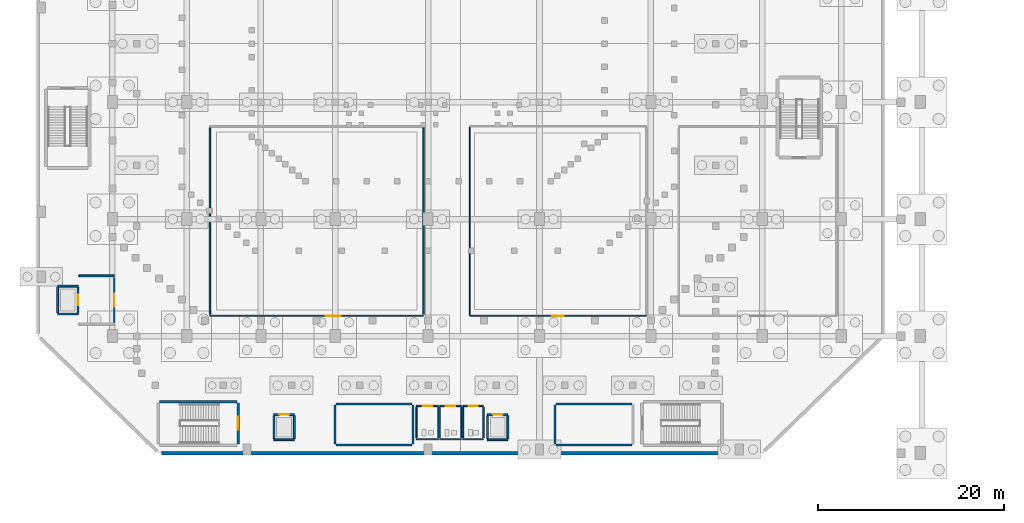
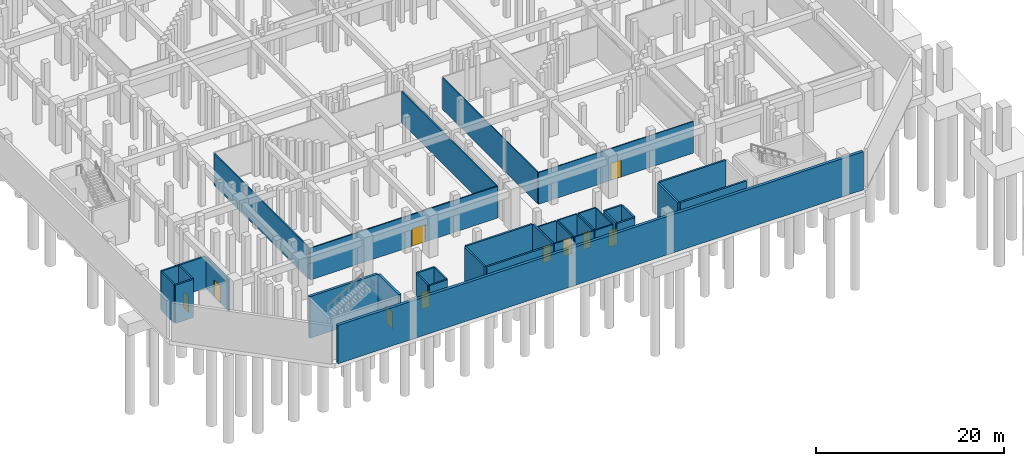
# One storey, part 14 of 27: 41 walls, 10 doors, 10 openings.
"""IFC4 building model written with IfcOpenShell, lengths in metres."""

from ifc_helpers import new_model, si_unit, derived_unit, direction, frame, frame_2d, origin, place, context, subcontext, project, spatial, rectangle, extrude, material, layer, layer_set, type_object, element, fill, save


model = new_model("IFC4")

# Units and contexts
model_context = context("Model", 3, precision=1e-05, world=origin(), true_north=direction((0.0, 1.0)))
body_context = subcontext(model_context, "Body", "Model", "MODEL_VIEW")
ifc_project = project(units=[si_unit("LENGTHUNIT", "METRE"), si_unit("AREAUNIT", "SQUARE_METRE"), si_unit("VOLUMEUNIT", "CUBIC_METRE"), si_unit("PLANEANGLEUNIT", "RADIAN"), si_unit("MASSUNIT", "GRAM", prefix="KILO"), derived_unit("THERMALTRANSMITTANCEUNIT", [(si_unit("MASSUNIT", "GRAM", prefix="KILO"), 1), (si_unit("TIMEUNIT", "SECOND"), -3), (si_unit("THERMODYNAMICTEMPERATUREUNIT", "KELVIN"), -1)])], contexts=[model_context])

# Site, building, storey
site_placement = place(None, origin())
site = spatial("IfcSite", under=ifc_project, at=site_placement, CompositionType="ELEMENT")
building_placement = place(site_placement, origin())
building = spatial("IfcBuilding", under=site, at=building_placement, Name="Valcora Ridge Arena", CompositionType="ELEMENT")
storey_placement = place(building_placement, frame((0.0, 0.0, -5.39990234375)))
storey = spatial("IfcBuildingStorey", under=building, at=storey_placement, Name="B1", CompositionType="ELEMENT", Elevation=-5.39990234375)

# Wall
ifc_material_1 = material(Name="Fire-rated masonry-core compartment wall C35/45 150 mm", Category="masonry")
ifc_layer_1 = layer(ifc_material_1, 0.14990234375, Name="Fire-rated masonry-core compartment wall C35/45 150 mm")
ifc_layer_set_1 = layer_set([ifc_layer_1], Name="Fire-rated masonry-core compartment wall C35/45 150 mm")
wall_type_1 = type_object("IfcWallType", Name="TY-WALL-IW-COMP-150", PredefinedType="STANDARD", material=ifc_layer_set_1)
wall_1_placement = place(storey_placement, frame((56.75, 21.5, 0.0), z_axis=(0.0, 0.0, 1.0), x_axis=(1.0, 0.0, 0.0)))
element("IfcWall", 1, at=wall_1_placement, inside=storey, type_object=wall_type_1, Name="IW-COMP-150 WAL-IN-0047", PredefinedType="STANDARD", context=body_context, shape_type="SweptSolid", body=[
    extrude(rectangle(XDim=2.35009765625, YDim=0.14990234375, at=frame_2d((1.175048828125, 0.0))), origin(), (0.0, 0.0, 1.0), 4.9599609375),
])

# Wall, opening, door
wall_2_placement = place(storey_placement, frame((56.75, 25.10009765625, 0.0), z_axis=(0.0, 0.0, 1.0), x_axis=(1.0, 0.0, 0.0)))
wall_2 = element("IfcWall", 2, at=wall_2_placement, inside=storey, type_object=wall_type_1, Name="IW-COMP-150 WAL-IN-0048", PredefinedType="STANDARD", context=body_context, shape_type="SweptSolid", body=[
    extrude(rectangle(XDim=2.35009765625, YDim=0.14990234375, at=frame_2d((1.175048828125, 0.0))), origin(), (0.0, 0.0, 1.0), 4.9599609375),
])
opening_1_placement = place(wall_2_placement, frame((0.675048828125, 0.0, 0.0)))
opening_1 = element("IfcOpeningElement", 3, at=opening_1_placement, cuts=wall_2, Name="Opening D-WC-1000", PredefinedType="OPENING", context=body_context, shape_type="SweptSolid", body=[
    extrude(rectangle(XDim=1.0, YDim=2.14990234375, at=frame_2d((0.5, 1.074951171875))), frame((0.0, 0.0849609375, 0.0), z_axis=(0.0, -1.0, 0.0), x_axis=(1.0, 0.0, 0.0)), (0.0, 0.0, 1.0), 0.169921875),
])
ifc_material_2 = material(Name="Insulated fire-rated steel door leaf", Category="steel")
door_type_1 = type_object("IfcDoorType", Name="TY-DOOR-D-WC-1000", OperationType="NOTDEFINED", PredefinedType="DOOR", material=ifc_material_2)
door_1_placement = place(opening_1_placement, origin())
door_1 = element("IfcDoor", 4, at=door_1_placement, inside=storey, type_object=door_type_1, Name="D-WC-1000 DOR-IN-0016", OperationType="SINGLE_SWING_RIGHT", OverallHeight=2.14990234375, OverallWidth=1.0, PredefinedType="DOOR", context=body_context, shape_type="SweptSolid", body=[
    extrude(rectangle(XDim=1.0, YDim=2.14990234375, at=frame_2d((0.5, 1.074951171875))), frame((0.0, 0.02490234375, 0.0), z_axis=(0.0, -1.0, 0.0), x_axis=(1.0, 0.0, 0.0)), (0.0, 0.0, 1.0), 0.050048828125),
])
fill(opening_1, door_1)

# Walls
for number, where, z_axis, x_axis, name in (
    (5, (56.75, 21.64990234375, 0.0), (0.0, 0.0, 1.0), (0.0, 1.0, 0.0), "IW-COMP-150 WAL-IN-0049"),
    (6, (59.10009765625, 21.64990234375, 0.0), (0.0, 0.0, 1.0), (0.0, 1.0, 0.0), "IW-COMP-150 WAL-IN-0050"),
):
    element("IfcWall", number, at=place(storey_placement, frame(where, z_axis=z_axis, x_axis=x_axis)), inside=storey, type_object=wall_type_1, Name=name, PredefinedType="STANDARD", context=body_context, shape_type="SweptSolid", body=[
        extrude(rectangle(XDim=3.300048828125, YDim=0.14990234375, at=frame_2d((1.64990234375, 0.0))), origin(), (0.0, 0.0, 1.0), 4.9599609375),
    ])
wall_3_placement = place(storey_placement, frame((59.25, 21.5, 0.0), z_axis=(0.0, 0.0, 1.0), x_axis=(1.0, 0.0, 0.0)))
element("IfcWall", 7, at=wall_3_placement, inside=storey, type_object=wall_type_1, Name="IW-COMP-150 WAL-IN-0051", PredefinedType="STANDARD", context=body_context, shape_type="SweptSolid", body=[
    extrude(rectangle(XDim=2.35009765625, YDim=0.14990234375, at=frame_2d((1.175048828125, 0.0))), origin(), (0.0, 0.0, 1.0), 4.9599609375),
])

# Wall, opening, door
wall_4_placement = place(storey_placement, frame((59.25, 25.10009765625, 0.0), z_axis=(0.0, 0.0, 1.0), x_axis=(1.0, 0.0, 0.0)))
wall_4 = element("IfcWall", 8, at=wall_4_placement, inside=storey, type_object=wall_type_1, Name="IW-COMP-150 WAL-IN-0052", PredefinedType="STANDARD", context=body_context, shape_type="SweptSolid", body=[
    extrude(rectangle(XDim=2.35009765625, YDim=0.14990234375, at=frame_2d((1.175048828125, 0.0))), origin(), (0.0, 0.0, 1.0), 4.9599609375),
])
opening_2_placement = place(wall_4_placement, frame((0.675048828125, 0.0, 0.0)))
opening_2 = element("IfcOpeningElement", 9, at=opening_2_placement, cuts=wall_4, Name="Opening D-WC-1000", PredefinedType="OPENING", context=body_context, shape_type="SweptSolid", body=[
    extrude(rectangle(XDim=1.0, YDim=2.14990234375, at=frame_2d((0.5, 1.074951171875))), frame((0.0, 0.0849609375, 0.0), z_axis=(0.0, -1.0, 0.0), x_axis=(1.0, 0.0, 0.0)), (0.0, 0.0, 1.0), 0.169921875),
])
door_2_placement = place(opening_2_placement, origin())
door_2 = element("IfcDoor", 10, at=door_2_placement, inside=storey, type_object=door_type_1, Name="D-WC-1000 DOR-IN-0017", OperationType="SINGLE_SWING_LEFT", OverallHeight=2.14990234375, OverallWidth=1.0, PredefinedType="DOOR", context=body_context, shape_type="SweptSolid", body=[
    extrude(rectangle(XDim=1.0, YDim=2.14990234375, at=frame_2d((0.5, 1.074951171875))), frame((0.0, 0.02490234375, 0.0), z_axis=(0.0, -1.0, 0.0), x_axis=(1.0, 0.0, 0.0)), (0.0, 0.0, 1.0), 0.050048828125),
])
fill(opening_2, door_2)

# Walls
for number, where, z_axis, x_axis, name in (
    (11, (59.25, 21.64990234375, 0.0), (0.0, 0.0, 1.0), (0.0, 1.0, 0.0), "IW-COMP-150 WAL-IN-0053"),
    (12, (61.60009765625, 21.64990234375, 0.0), (0.0, 0.0, 1.0), (0.0, 1.0, 0.0), "IW-COMP-150 WAL-IN-0054"),
):
    element("IfcWall", number, at=place(storey_placement, frame(where, z_axis=z_axis, x_axis=x_axis)), inside=storey, type_object=wall_type_1, Name=name, PredefinedType="STANDARD", context=body_context, shape_type="SweptSolid", body=[
        extrude(rectangle(XDim=3.300048828125, YDim=0.14990234375, at=frame_2d((1.64990234375, 0.0))), origin(), (0.0, 0.0, 1.0), 4.9599609375),
    ])
wall_5_placement = place(storey_placement, frame((61.75, 21.5, 0.0), z_axis=(0.0, 0.0, 1.0), x_axis=(1.0, 0.0, 0.0)))
element("IfcWall", 13, at=wall_5_placement, inside=storey, type_object=wall_type_1, Name="IW-COMP-150 WAL-IN-0055", PredefinedType="STANDARD", context=body_context, shape_type="SweptSolid", body=[
    extrude(rectangle(XDim=2.199951171875, YDim=0.14990234375, at=frame_2d((1.10009765625, 0.0))), origin(), (0.0, 0.0, 1.0), 4.9599609375),
])

# Wall, opening, door
wall_6_placement = place(storey_placement, frame((61.75, 25.10009765625, 0.0), z_axis=(0.0, 0.0, 1.0), x_axis=(1.0, 0.0, 0.0)))
wall_6 = element("IfcWall", 14, at=wall_6_placement, inside=storey, type_object=wall_type_1, Name="IW-COMP-150 WAL-IN-0056", PredefinedType="STANDARD", context=body_context, shape_type="SweptSolid", body=[
    extrude(rectangle(XDim=2.199951171875, YDim=0.14990234375, at=frame_2d((1.10009765625, 0.0))), origin(), (0.0, 0.0, 1.0), 4.9599609375),
])
opening_3_placement = place(wall_6_placement, frame((0.625, 0.0, 0.0)))
opening_3 = element("IfcOpeningElement", 15, at=opening_3_placement, cuts=wall_6, Name="Opening D-WC-950", PredefinedType="OPENING", context=body_context, shape_type="SweptSolid", body=[
    extrude(rectangle(XDim=0.949951171875, YDim=2.14990234375, at=frame_2d((0.47509765625, 1.074951171875))), frame((0.0, 0.0849609375, 0.0), z_axis=(0.0, -1.0, 0.0), x_axis=(1.0, 0.0, 0.0)), (0.0, 0.0, 1.0), 0.169921875),
])
door_type_2 = type_object("IfcDoorType", Name="TY-DOOR-D-WC-950", OperationType="NOTDEFINED", PredefinedType="DOOR", material=ifc_material_2)
door_3_placement = place(opening_3_placement, origin())
door_3 = element("IfcDoor", 16, at=door_3_placement, inside=storey, type_object=door_type_2, Name="D-WC-950 DOR-IN-0018", OperationType="SINGLE_SWING_RIGHT", OverallHeight=2.14990234375, OverallWidth=0.949951171875, PredefinedType="DOOR", context=body_context, shape_type="SweptSolid", body=[
    extrude(rectangle(XDim=0.949951171875, YDim=2.14990234375, at=frame_2d((0.47509765625, 1.074951171875))), frame((0.0, 0.02490234375, 0.0), z_axis=(0.0, -1.0, 0.0), x_axis=(1.0, 0.0, 0.0)), (0.0, 0.0, 1.0), 0.050048828125),
])
fill(opening_3, door_3)

# Walls
for number, where, z_axis, x_axis, name in (
    (17, (61.75, 21.64990234375, 0.0), (0.0, 0.0, 1.0), (0.0, 1.0, 0.0), "IW-COMP-150 WAL-IN-0057"),
    (18, (63.949951171875, 21.64990234375, 0.0), (0.0, 0.0, 1.0), (0.0, 1.0, 0.0), "IW-COMP-150 WAL-IN-0058"),
):
    element("IfcWall", number, at=place(storey_placement, frame(where, z_axis=z_axis, x_axis=x_axis)), inside=storey, type_object=wall_type_1, Name=name, PredefinedType="STANDARD", context=body_context, shape_type="SweptSolid", body=[
        extrude(rectangle(XDim=3.300048828125, YDim=0.14990234375, at=frame_2d((1.64990234375, 0.0))), origin(), (0.0, 0.0, 1.0), 4.9599609375),
    ])

# Wall, opening, door
wall_7_placement = place(storey_placement, frame((34.5, 34.800048828125, 0.0), z_axis=(0.0, 0.0, 1.0), x_axis=(1.0, 0.0, 0.0)))
wall_7 = element("IfcWall", 19, at=wall_7_placement, inside=storey, type_object=wall_type_1, Name="IW-COMP-150 WAL-IN-0191", PredefinedType="STANDARD", context=body_context, shape_type="SweptSolid", body=[
    extrude(rectangle(XDim=23.0, YDim=0.14990234375, at=frame_2d((11.5, 0.0))), origin(), (0.0, 0.0, 1.0), 4.10986328125),
])
opening_4_placement = place(wall_7_placement, frame((12.5, 0.0, 0.0)))
opening_4 = element("IfcOpeningElement", 20, at=opening_4_placement, cuts=wall_7, Name="Opening FD-ATH-1600", PredefinedType="OPENING", context=body_context, shape_type="SweptSolid", body=[
    extrude(rectangle(XDim=1.60009765625, YDim=2.25, at=frame_2d((0.800048828125, 1.125))), frame((0.0, 0.0849609375, 0.0), z_axis=(0.0, -1.0, 0.0), x_axis=(1.0, 0.0, 0.0)), (0.0, 0.0, 1.0), 0.169921875),
])
door_type_3 = type_object("IfcDoorType", Name="TY-DOOR-FD-ATH-1600", OperationType="NOTDEFINED", PredefinedType="DOOR", material=ifc_material_2)
door_4_placement = place(opening_4_placement, origin())
door_4 = element("IfcDoor", 21, at=door_4_placement, inside=storey, type_object=door_type_3, Name="FD-ATH-1600 DOR-IN-0052", OperationType="DOUBLE_DOOR_SINGLE_SWING", OverallHeight=2.25, OverallWidth=1.60009765625, PredefinedType="DOOR", context=body_context, shape_type="SweptSolid", body=[
    extrude(rectangle(XDim=1.60009765625, YDim=2.25, at=frame_2d((0.800048828125, 1.125))), frame((0.0, 0.02490234375, 0.0), z_axis=(0.0, -1.0, 0.0), x_axis=(1.0, 0.0, 0.0)), (0.0, 0.0, 1.0), 0.050048828125),
])
fill(opening_4, door_4)

# Walls
for number, where, z_axis, x_axis, name in (
    (22, (34.5, 34.949951171875, 0.0), (0.0, 0.0, 1.0), (0.0, 1.0, 0.0), "IW-COMP-150 WAL-IN-0193"),
    (23, (57.5, 34.949951171875, 0.0), (0.0, 0.0, 1.0), (0.0, 1.0, 0.0), "IW-COMP-150 WAL-IN-0194"),
):
    element("IfcWall", number, at=place(storey_placement, frame(where, z_axis=z_axis, x_axis=x_axis)), inside=storey, type_object=wall_type_1, Name=name, PredefinedType="STANDARD", context=body_context, shape_type="SweptSolid", body=[
        extrude(rectangle(XDim=20.10009765625, YDim=0.14990234375, at=frame_2d((10.050048828125, 0.0))), origin(), (0.0, 0.0, 1.0), 4.10986328125),
    ])
ifc_material_3 = material(Name="Fire-resisting reinforced concrete enclosure C40/50 200 mm", Category="concrete")
ifc_layer_2 = layer(ifc_material_3, 0.199951171875, Name="Fire-resisting reinforced concrete enclosure C40/50 200 mm")
ifc_layer_set_2 = layer_set([ifc_layer_2], Name="Fire-resisting reinforced concrete enclosure C40/50 200 mm")
wall_type_2 = type_object("IfcWallType", Name="TY-WALL-IW-FIRE-200", PredefinedType="STANDARD", material=ifc_layer_set_2)
wall_8_placement = place(storey_placement, frame((20.39990234375, 39.10009765625, 0.0), z_axis=(0.0, 0.0, 1.0), x_axis=(1.0, 0.0, 0.0)))
element("IfcWall", 24, at=wall_8_placement, inside=storey, type_object=wall_type_2, Name="IW-FIRE-200 WAL-IN-0002", PredefinedType="STANDARD", context=body_context, shape_type="SweptSolid", body=[
    extrude(rectangle(XDim=3.800048828125, YDim=0.199951171875, at=frame_2d((1.89990234375, 0.0))), origin(), (0.0, 0.0, 1.0), 4.10986328125),
])

# Wall, opening, door
wall_9_placement = place(storey_placement, frame((24.199951171875, 34.10009765625, 0.0), z_axis=(0.0, 0.0, 1.0), x_axis=(0.0, 1.0, 0.0)))
wall_9 = element("IfcWall", 25, at=wall_9_placement, inside=storey, type_object=wall_type_2, Name="IW-FIRE-200 WAL-IN-0003", PredefinedType="STANDARD", context=body_context, shape_type="SweptSolid", body=[
    extrude(rectangle(XDim=4.7998046875, YDim=0.199951171875, at=frame_2d((2.39990234375, 0.0))), origin(), (0.0, 0.0, 1.0), 4.10986328125),
])
opening_5_placement = place(wall_9_placement, frame((1.699951171875, 0.0, 0.0)))
opening_5 = element("IfcOpeningElement", 26, at=opening_5_placement, cuts=wall_9, Name="Opening FD-FFL-1400", PredefinedType="OPENING", context=body_context, shape_type="SweptSolid", body=[
    extrude(rectangle(XDim=1.39990234375, YDim=2.199951171875, at=frame_2d((0.699951171875, 1.10009765625))), frame((0.0, 0.10986328125, 0.0), z_axis=(0.0, -1.0, 0.0), x_axis=(1.0, 0.0, 0.0)), (0.0, 0.0, 1.0), 0.219970703125),
])
door_type_4 = type_object("IfcDoorType", Name="TY-DOOR-FD-FFL-1400", OperationType="NOTDEFINED", PredefinedType="DOOR", material=ifc_material_2)
door_5_placement = place(opening_5_placement, origin())
door_5 = element("IfcDoor", 27, at=door_5_placement, inside=storey, type_object=door_type_4, Name="FD-FFL-1400 DOR-IN-0001", OperationType="DOUBLE_DOOR_SINGLE_SWING", OverallHeight=2.199951171875, OverallWidth=1.39990234375, PredefinedType="DOOR", context=body_context, shape_type="SweptSolid", body=[
    extrude(rectangle(XDim=1.39990234375, YDim=2.199951171875, at=frame_2d((0.699951171875, 1.10009765625))), frame((0.0, 0.02490234375, 0.0), z_axis=(0.0, -1.0, 0.0), x_axis=(1.0, 0.0, 0.0)), (0.0, 0.0, 1.0), 0.050048828125),
])
fill(opening_5, door_5)

ifc_material_4 = material(Name="Acoustic metal-stud gypsum partition 120 mm")
ifc_layer_3 = layer(ifc_material_4, 0.1201171875, Name="Acoustic metal-stud gypsum partition 120 mm")
ifc_layer_set_3 = layer_set([ifc_layer_3], Name="Acoustic metal-stud gypsum partition 120 mm")
wall_type_3 = type_object("IfcWallType", Name="TY-WALL-IW-PART-120", PredefinedType="PARTITIONING", material=ifc_layer_set_3)
wall_10_placement = place(storey_placement, frame((62.5, 34.800048828125, 0.0), z_axis=(0.0, 0.0, 1.0), x_axis=(1.0, 0.0, 0.0)))
wall_10 = element("IfcWall", 28, at=wall_10_placement, inside=storey, type_object=wall_type_3, Name="IW-PART-120 WAL-IN-0195", PredefinedType="PARTITIONING", context=body_context, shape_type="SweptSolid", body=[
    extrude(rectangle(XDim=19.0, YDim=0.1201171875, at=frame_2d((9.5, 0.0))), origin(), (0.0, 0.0, 1.0), 4.10986328125),
])
opening_6_placement = place(wall_10_placement, frame((8.89990234375, 0.0, 0.0)))
opening_6 = element("IfcOpeningElement", 29, at=opening_6_placement, cuts=wall_10, Name="Opening D-ATH-1200", PredefinedType="OPENING", context=body_context, shape_type="SweptSolid", body=[
    extrude(rectangle(XDim=1.199951171875, YDim=2.199951171875, at=frame_2d((0.60009765625, 1.10009765625))), frame((0.0, 0.070068359375, 0.0), z_axis=(0.0, -1.0, 0.0), x_axis=(1.0, 0.0, 0.0)), (0.0, 0.0, 1.0), 0.14013671875),
])
ifc_material_5 = material(Name="Solid-core acoustic timber veneer door leaf", Category="wood")
door_type_5 = type_object("IfcDoorType", Name="TY-DOOR-D-ATH-1200", OperationType="NOTDEFINED", PredefinedType="DOOR", material=ifc_material_5)
door_6_placement = place(opening_6_placement, origin())
door_6 = element("IfcDoor", 30, at=door_6_placement, inside=storey, type_object=door_type_5, Name="D-ATH-1200 DOR-IN-0053", OperationType="SINGLE_SWING_LEFT", OverallHeight=2.199951171875, OverallWidth=1.199951171875, PredefinedType="DOOR", context=body_context, shape_type="SweptSolid", body=[
    extrude(rectangle(XDim=1.199951171875, YDim=2.199951171875, at=frame_2d((0.60009765625, 1.10009765625))), frame((0.0, 0.02490234375, 0.0), z_axis=(0.0, -1.0, 0.0), x_axis=(1.0, 0.0, 0.0)), (0.0, 0.0, 1.0), 0.050048828125),
])
fill(opening_6, door_6)

# Walls
wall_11_placement = place(storey_placement, frame((62.5, 34.919921875, 0.0), z_axis=(0.0, 0.0, 1.0), x_axis=(0.0, 1.0, 0.0)))
element("IfcWall", 31, at=wall_11_placement, inside=storey, type_object=wall_type_3, Name="IW-PART-120 WAL-IN-0197", PredefinedType="PARTITIONING", context=body_context, shape_type="SweptSolid", body=[
    extrude(rectangle(XDim=20.16015625, YDim=0.1201171875, at=frame_2d((10.080078125, 0.0))), origin(), (0.0, 0.0, 1.0), 4.10986328125),
])
ifc_material_6 = material(Name="Concrete C40/50", Category="concrete")
ifc_layer_4 = layer(ifc_material_6, 0.199951171875, Name="Concrete C40/50")
ifc_layer_set_4 = layer_set([ifc_layer_4], Name="Concrete C40/50")
wall_type_4 = type_object("IfcWallType", Name="TY-WALL-IW-SHF-200", PredefinedType="STANDARD", material=ifc_layer_set_4)
for number, where, z_axis, x_axis, name in (
    (32, (18.10009765625, 35.0, 0.0), (0.0, 0.0, 1.0), (1.0, 0.0, 0.0), "IW-SHF-200 WAL-SH-0001"),
    (33, (18.10009765625, 38.0, 0.0), (0.0, 0.0, 1.0), (1.0, 0.0, 0.0), "IW-SHF-200 WAL-SH-0002"),
):
    element("IfcWall", number, at=place(storey_placement, frame(where, z_axis=z_axis, x_axis=x_axis)), inside=storey, type_object=wall_type_4, Name=name, PredefinedType="STANDARD", context=body_context, shape_type="SweptSolid", body=[
        extrude(rectangle(XDim=2.199951171875, YDim=0.199951171875, at=frame_2d((1.10009765625, 0.0))), origin(), (0.0, 0.0, 1.0), 4.9599609375),
    ])
wall_12_placement = place(storey_placement, frame((18.10009765625, 35.1201171875, 0.0), z_axis=(0.0, 0.0, 1.0), x_axis=(0.0, 1.0, 0.0)))
element("IfcWall", 34, at=wall_12_placement, inside=storey, type_object=wall_type_4, Name="IW-SHF-200 WAL-SH-0003", PredefinedType="STANDARD", context=body_context, shape_type="SweptSolid", body=[
    extrude(rectangle(XDim=2.759765625, YDim=0.199951171875, at=frame_2d((1.3798828125, 0.0))), origin(), (0.0, 0.0, 1.0), 4.9599609375),
])

# Wall, opening, door
wall_13_placement = place(storey_placement, frame((20.300048828125, 35.1201171875, 0.0), z_axis=(0.0, 0.0, 1.0), x_axis=(0.0, 1.0, 0.0)))
wall_13 = element("IfcWall", 35, at=wall_13_placement, inside=storey, type_object=wall_type_4, Name="IW-SHF-200 WAL-SH-0004", PredefinedType="STANDARD", context=body_context, shape_type="SweptSolid", body=[
    extrude(rectangle(XDim=2.759765625, YDim=0.199951171875, at=frame_2d((1.3798828125, 0.0))), origin(), (0.0, 0.0, 1.0), 4.9599609375),
])
opening_7_placement = place(wall_13_placement, frame((0.830078125, 0.0, 0.0)))
opening_7 = element("IfcOpeningElement", 36, at=opening_7_placement, cuts=wall_13, Name="Opening LD-FF", PredefinedType="OPENING", context=body_context, shape_type="SweptSolid", body=[
    extrude(rectangle(XDim=1.10009765625, YDim=2.14990234375, at=frame_2d((0.550048828125, 1.074951171875))), frame((0.0, 0.10986328125, 0.0), z_axis=(0.0, -1.0, 0.0), x_axis=(1.0, 0.0, 0.0)), (0.0, 0.0, 1.0), 0.219970703125),
])
ifc_material_7 = material(Name="Insulated fire-rated hollow metal steel", Category="steel")
door_type_6 = type_object("IfcDoorType", Name="TY-DOOR-LD-FF", OperationType="NOTDEFINED", PredefinedType="DOOR", material=ifc_material_7)
door_7_placement = place(opening_7_placement, origin())
door_7 = element("IfcDoor", 37, at=door_7_placement, inside=storey, type_object=door_type_6, Name="FFL1 Landing Door B1", OperationType="SLIDING_TO_LEFT", OverallHeight=2.14990234375, OverallWidth=1.10009765625, PredefinedType="DOOR", context=body_context, shape_type="SweptSolid", body=[
    extrude(rectangle(XDim=1.10009765625, YDim=2.14990234375, at=frame_2d((0.550048828125, 1.074951171875))), frame((0.0, 0.02490234375, 0.0), z_axis=(0.0, -1.0, 0.0), x_axis=(1.0, 0.0, 0.0)), (0.0, 0.0, 1.0), 0.050048828125),
])
fill(opening_7, door_7)

# Wall
wall_14_placement = place(storey_placement, frame((41.39990234375, 21.449951171875, 0.0), z_axis=(0.0, 0.0, 1.0), x_axis=(1.0, 0.0, 0.0)))
element("IfcWall", 38, at=wall_14_placement, inside=storey, type_object=wall_type_4, Name="IW-SHF-200 WAL-SH-0057", PredefinedType="STANDARD", context=body_context, shape_type="SweptSolid", body=[
    extrude(rectangle(XDim=2.2001953125, YDim=0.199951171875, at=frame_2d((1.10009765625, 0.0))), origin(), (0.0, 0.0, 1.0), 4.9599609375),
])

# Wall, opening, door
wall_15_placement = place(storey_placement, frame((41.39990234375, 24.14990234375, 0.0), z_axis=(0.0, 0.0, 1.0), x_axis=(1.0, 0.0, 0.0)))
wall_15 = element("IfcWall", 39, at=wall_15_placement, inside=storey, type_object=wall_type_4, Name="IW-SHF-200 WAL-SH-0058", PredefinedType="STANDARD", context=body_context, shape_type="SweptSolid", body=[
    extrude(rectangle(XDim=2.2001953125, YDim=0.199951171875, at=frame_2d((1.10009765625, 0.0))), origin(), (0.0, 0.0, 1.0), 4.9599609375),
])
opening_8_placement = place(wall_15_placement, frame((0.550048828125, 0.0, 0.0)))
opening_8 = element("IfcOpeningElement", 40, at=opening_8_placement, cuts=wall_15, Name="Opening LD-PAX", PredefinedType="OPENING", context=body_context, shape_type="SweptSolid", body=[
    extrude(rectangle(XDim=1.10009765625, YDim=2.14990234375, at=frame_2d((0.550048828125, 1.074951171875))), frame((0.0, 0.10986328125, 0.0), z_axis=(0.0, -1.0, 0.0), x_axis=(1.0, 0.0, 0.0)), (0.0, 0.0, 1.0), 0.219970703125),
])
door_type_7 = type_object("IfcDoorType", Name="TY-DOOR-LD-PAX", OperationType="NOTDEFINED", PredefinedType="DOOR", material=ifc_material_7)
door_8_placement = place(opening_8_placement, origin())
door_8 = element("IfcDoor", 41, at=door_8_placement, inside=storey, type_object=door_type_7, Name="PL1 Landing Door B1", OperationType="SLIDING_TO_LEFT", OverallHeight=2.14990234375, OverallWidth=1.10009765625, PredefinedType="DOOR", context=body_context, shape_type="SweptSolid", body=[
    extrude(rectangle(XDim=1.10009765625, YDim=2.14990234375, at=frame_2d((0.550048828125, 1.074951171875))), frame((0.0, 0.02490234375, 0.0), z_axis=(0.0, -1.0, 0.0), x_axis=(1.0, 0.0, 0.0)), (0.0, 0.0, 1.0), 0.050048828125),
])
fill(opening_8, door_8)

# Walls
for number, where, z_axis, x_axis, name in (
    (42, (41.39990234375, 21.570068359375, 0.0), (0.0, 0.0, 1.0), (0.0, 1.0, 0.0), "IW-SHF-200 WAL-SH-0059"),
    (43, (43.60009765625, 21.570068359375, 0.0), (0.0, 0.0, 1.0), (0.0, 1.0, 0.0), "IW-SHF-200 WAL-SH-0060"),
):
    element("IfcWall", number, at=place(storey_placement, frame(where, z_axis=z_axis, x_axis=x_axis)), inside=storey, type_object=wall_type_4, Name=name, PredefinedType="STANDARD", context=body_context, shape_type="SweptSolid", body=[
        extrude(rectangle(XDim=2.4599609375, YDim=0.199951171875, at=frame_2d((1.22998046875, 0.0))), origin(), (0.0, 0.0, 1.0), 4.9599609375),
    ])
wall_16_placement = place(storey_placement, frame((64.39990234375, 21.449951171875, 0.0), z_axis=(0.0, 0.0, 1.0), x_axis=(1.0, 0.0, 0.0)))
element("IfcWall", 44, at=wall_16_placement, inside=storey, type_object=wall_type_4, Name="IW-SHF-200 WAL-SH-0081", PredefinedType="STANDARD", context=body_context, shape_type="SweptSolid", body=[
    extrude(rectangle(XDim=2.2001953125, YDim=0.199951171875, at=frame_2d((1.10009765625, 0.0))), origin(), (0.0, 0.0, 1.0), 4.9599609375),
])

# Wall, opening, door
wall_17_placement = place(storey_placement, frame((64.39990234375, 24.14990234375, 0.0), z_axis=(0.0, 0.0, 1.0), x_axis=(1.0, 0.0, 0.0)))
wall_17 = element("IfcWall", 45, at=wall_17_placement, inside=storey, type_object=wall_type_4, Name="IW-SHF-200 WAL-SH-0082", PredefinedType="STANDARD", context=body_context, shape_type="SweptSolid", body=[
    extrude(rectangle(XDim=2.2001953125, YDim=0.199951171875, at=frame_2d((1.10009765625, 0.0))), origin(), (0.0, 0.0, 1.0), 4.9599609375),
])
opening_9_placement = place(wall_17_placement, frame((0.550048828125, 0.0, 0.0)))
opening_9 = element("IfcOpeningElement", 46, at=opening_9_placement, cuts=wall_17, Name="Opening LD-PAX", PredefinedType="OPENING", context=body_context, shape_type="SweptSolid", body=[
    extrude(rectangle(XDim=1.10009765625, YDim=2.14990234375, at=frame_2d((0.550048828125, 1.074951171875))), frame((0.0, 0.10986328125, 0.0), z_axis=(0.0, -1.0, 0.0), x_axis=(1.0, 0.0, 0.0)), (0.0, 0.0, 1.0), 0.219970703125),
])
door_9_placement = place(opening_9_placement, origin())
door_9 = element("IfcDoor", 47, at=door_9_placement, inside=storey, type_object=door_type_7, Name="PL2 Landing Door B1", OperationType="SLIDING_TO_LEFT", OverallHeight=2.14990234375, OverallWidth=1.10009765625, PredefinedType="DOOR", context=body_context, shape_type="SweptSolid", body=[
    extrude(rectangle(XDim=1.10009765625, YDim=2.14990234375, at=frame_2d((0.550048828125, 1.074951171875))), frame((0.0, 0.02490234375, 0.0), z_axis=(0.0, -1.0, 0.0), x_axis=(1.0, 0.0, 0.0)), (0.0, 0.0, 1.0), 0.050048828125),
])
fill(opening_9, door_9)

# Walls
for number, where, z_axis, x_axis, name in (
    (48, (64.39990234375, 21.570068359375, 0.0), (0.0, 0.0, 1.0), (0.0, 1.0, 0.0), "IW-SHF-200 WAL-SH-0083"),
    (49, (66.60009765625, 21.570068359375, 0.0), (0.0, 0.0, 1.0), (0.0, 1.0, 0.0), "IW-SHF-200 WAL-SH-0084"),
):
    element("IfcWall", number, at=place(storey_placement, frame(where, z_axis=z_axis, x_axis=x_axis)), inside=storey, type_object=wall_type_4, Name=name, PredefinedType="STANDARD", context=body_context, shape_type="SweptSolid", body=[
        extrude(rectangle(XDim=2.4599609375, YDim=0.199951171875, at=frame_2d((1.22998046875, 0.0))), origin(), (0.0, 0.0, 1.0), 4.9599609375),
    ])
ifc_material_8 = material(Name="Concrete C45/55", Category="concrete")
ifc_layer_5 = layer(ifc_material_8, 0.300048828125, Name="Concrete C45/55")
ifc_layer_set_5 = layer_set([ifc_layer_5], Name="Concrete C45/55")
wall_type_5 = type_object("IfcWallType", Name="TY-WALL-SW-C300-L", PredefinedType="SHEAR", material=ifc_layer_set_5)
wall_18_placement = place(storey_placement, frame((29.080078125, 25.550048828125, 0.0), z_axis=(0.0, 0.0, 1.0), x_axis=(1.0, 0.0, 0.0)))
element("IfcWall", 50, at=wall_18_placement, inside=storey, type_object=wall_type_5, Name="SW-C300-L WAL-CR-0002", PredefinedType="SHEAR", context=body_context, shape_type="SweptSolid", body=[
    extrude(rectangle(XDim=8.31982421875, YDim=0.300048828125, at=frame_2d((4.159912109375, 0.0))), origin(), (0.0, 0.0, 1.0), 5.39990234375),
])

# Wall, opening, door
ifc_layer_6 = layer(ifc_material_8, 0.300048828125, Name="Concrete C45/55")
ifc_layer_set_6 = layer_set([ifc_layer_6], Name="Concrete C45/55")
wall_type_6 = type_object("IfcWallType", Name="TY-WALL-SW-C300-S", PredefinedType="SHEAR", material=ifc_layer_set_6)
wall_19_placement = place(storey_placement, frame((37.550048828125, 21.0, 0.0), z_axis=(0.0, 0.0, 1.0), x_axis=(0.0, 1.0, 0.0)))
wall_19 = element("IfcWall", 51, at=wall_19_placement, inside=storey, type_object=wall_type_6, Name="SW-C300-S WAL-CR-0004", PredefinedType="SHEAR", context=body_context, shape_type="SweptSolid", body=[
    extrude(rectangle(XDim=4.39990234375, YDim=0.300048828125, at=frame_2d((2.199951171875, 0.0))), origin(), (0.0, 0.0, 1.0), 5.39990234375),
])
opening_10_placement = place(wall_19_placement, frame((1.5, 0.0, 0.0)))
opening_10 = element("IfcOpeningElement", 52, at=opening_10_placement, cuts=wall_19, Name="Opening FD-01", PredefinedType="OPENING", context=body_context, shape_type="SweptSolid", body=[
    extrude(rectangle(XDim=1.39990234375, YDim=2.199951171875, at=frame_2d((0.699951171875, 1.10009765625))), frame((0.0, 0.159912109375, 0.0), z_axis=(0.0, -1.0, 0.0), x_axis=(1.0, 0.0, 0.0)), (0.0, 0.0, 1.0), 0.320068359375),
])
door_type_8 = type_object("IfcDoorType", Name="TY-DOOR-FD-01", OperationType="NOTDEFINED", PredefinedType="DOOR", material=ifc_material_2)
door_10_placement = place(opening_10_placement, origin())
door_10 = element("IfcDoor", 53, at=door_10_placement, inside=storey, type_object=door_type_8, Name="FD-01 DOR-ST-0001", OperationType="DOUBLE_DOOR_SINGLE_SWING", OverallHeight=2.199951171875, OverallWidth=1.39990234375, PredefinedType="DOOR", context=body_context, shape_type="SweptSolid", body=[
    extrude(rectangle(XDim=1.39990234375, YDim=2.199951171875, at=frame_2d((0.699951171875, 1.10009765625))), frame((0.0, 0.02490234375, 0.0), z_axis=(0.0, -1.0, 0.0), x_axis=(1.0, 0.0, 0.0)), (0.0, 0.0, 1.0), 0.050048828125),
])
fill(opening_10, door_10)

# Walls
ifc_layer_7 = layer(ifc_material_3, 0.219970703125, Name="Fire-resisting reinforced concrete enclosure C40/50 200 mm")
ifc_layer_set_7 = layer_set([ifc_layer_7], Name="Fire-resisting reinforced concrete enclosure C40/50 200 mm")
wall_type_7 = type_object("IfcWallType", Name="TY-WALL-SW-ES-220", PredefinedType="SHEAR", material=ifc_layer_set_7)
for number, where, z_axis, x_axis, name in (
    (54, (48.10009765625, 20.889892578125, 0.0), (0.0, 0.0, 1.0), (1.0, 0.0, 0.0), "SW-ES-220 WAL-ES-0001"),
    (55, (48.10009765625, 25.31005859375, 0.0), (0.0, 0.0, 1.0), (1.0, 0.0, 0.0), "SW-ES-220 WAL-ES-0002"),
):
    element("IfcWall", number, at=place(storey_placement, frame(where, z_axis=z_axis, x_axis=x_axis)), inside=storey, type_object=wall_type_7, Name=name, PredefinedType="SHEAR", context=body_context, shape_type="SweptSolid", body=[
        extrude(rectangle(XDim=8.159912109375, YDim=0.219970703125, at=frame_2d((4.080078125, 0.0))), origin(), (0.0, 0.0, 1.0), 5.39990234375),
    ])
for number, where, z_axis, x_axis, name in (
    (56, (47.989990234375, 21.0, 0.0), (0.0, 0.0, 1.0), (0.0, 1.0, 0.0), "SW-ES-220 WAL-ES-0003"),
    (57, (56.3701171875, 21.0, 0.0), (0.0, 0.0, 1.0), (0.0, 1.0, 0.0), "SW-ES-220 WAL-ES-0004"),
):
    element("IfcWall", number, at=place(storey_placement, frame(where, z_axis=z_axis, x_axis=x_axis)), inside=storey, type_object=wall_type_7, Name=name, PredefinedType="SHEAR", context=body_context, shape_type="SweptSolid", body=[
        extrude(rectangle(XDim=4.199951171875, YDim=0.219970703125, at=frame_2d((2.10009765625, 0.0))), origin(), (0.0, 0.0, 1.0), 5.39990234375),
    ])
for number, where, z_axis, x_axis, name in (
    (58, (71.800048828125, 20.889892578125, 0.0), (0.0, 0.0, 1.0), (1.0, 0.0, 0.0), "SW-ES-220 WAL-ES-0025"),
    (59, (71.800048828125, 25.31005859375, 0.0), (0.0, 0.0, 1.0), (1.0, 0.0, 0.0), "SW-ES-220 WAL-ES-0026"),
):
    element("IfcWall", number, at=place(storey_placement, frame(where, z_axis=z_axis, x_axis=x_axis)), inside=storey, type_object=wall_type_7, Name=name, PredefinedType="SHEAR", context=body_context, shape_type="SweptSolid", body=[
        extrude(rectangle(XDim=8.159912109375, YDim=0.219970703125, at=frame_2d((4.080078125, 0.0))), origin(), (0.0, 0.0, 1.0), 5.39990234375),
    ])
wall_20_placement = place(storey_placement, frame((71.68994140625, 21.0, 0.0), z_axis=(0.0, 0.0, 1.0), x_axis=(0.0, 1.0, 0.0)))
element("IfcWall", 60, at=wall_20_placement, inside=storey, type_object=wall_type_7, Name="SW-ES-220 WAL-ES-0027", PredefinedType="SHEAR", context=body_context, shape_type="SweptSolid", body=[
    extrude(rectangle(XDim=4.199951171875, YDim=0.219970703125, at=frame_2d((2.10009765625, 0.0))), origin(), (0.0, 0.0, 1.0), 5.39990234375),
])
ifc_layer_8 = layer(ifc_material_6, 0.35009765625, Name="Concrete C40/50")
ifc_layer_set_8 = layer_set([ifc_layer_8], Name="Concrete C40/50")
wall_type_8 = type_object("IfcWallType", Name="TY-WALL-SW-RET-350", PredefinedType="SOLIDWALL", material=ifc_layer_set_8)
wall_21_placement = place(storey_placement, frame((29.300048828125, 20.0, 0.0), z_axis=(0.0, 0.0, 1.0), x_axis=(1.0, 0.0, 0.0)))
element("IfcWall", 61, at=wall_21_placement, inside=storey, type_object=wall_type_8, Name="SW-RET-350 WAL-RT-0001", PredefinedType="SOLIDWALL", context=body_context, shape_type="SweptSolid", body=[
    extrude(rectangle(XDim=64.39990234375, YDim=0.35009765625, at=frame_2d((32.199951171875, 0.0))), origin(), (0.0, 0.0, 1.0), 4.9599609375),
])

save(model, "model.ifc")
